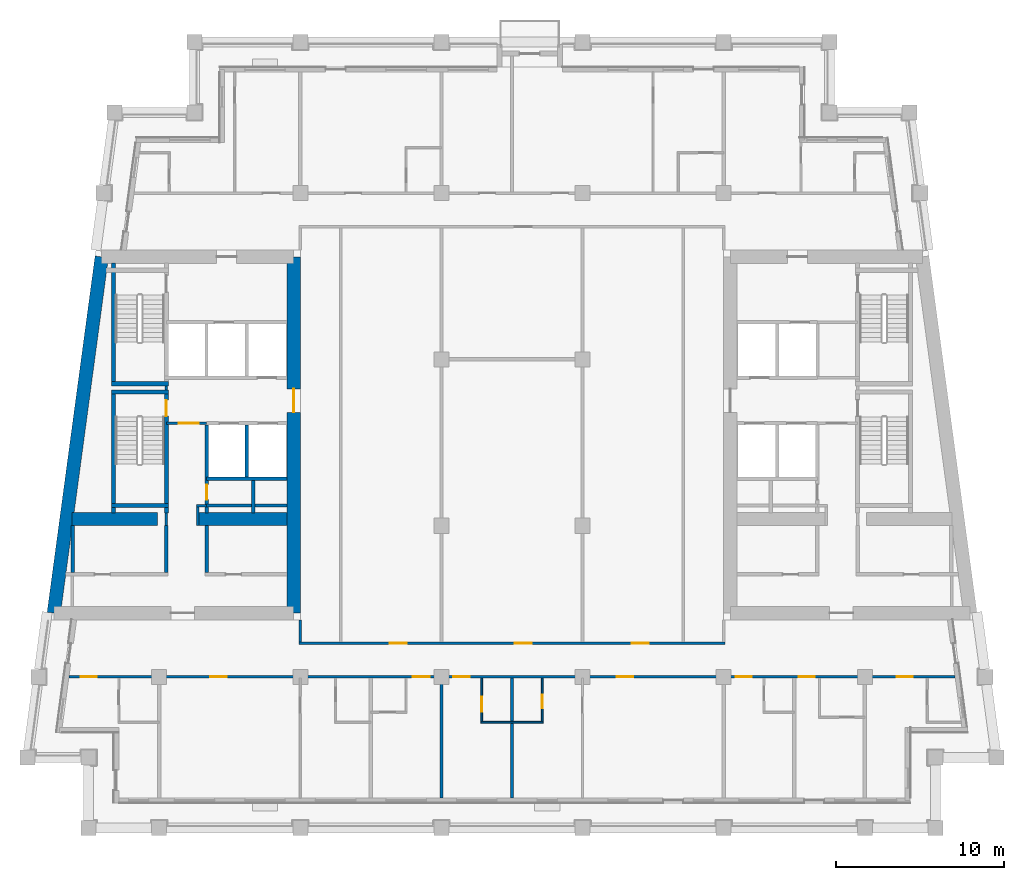
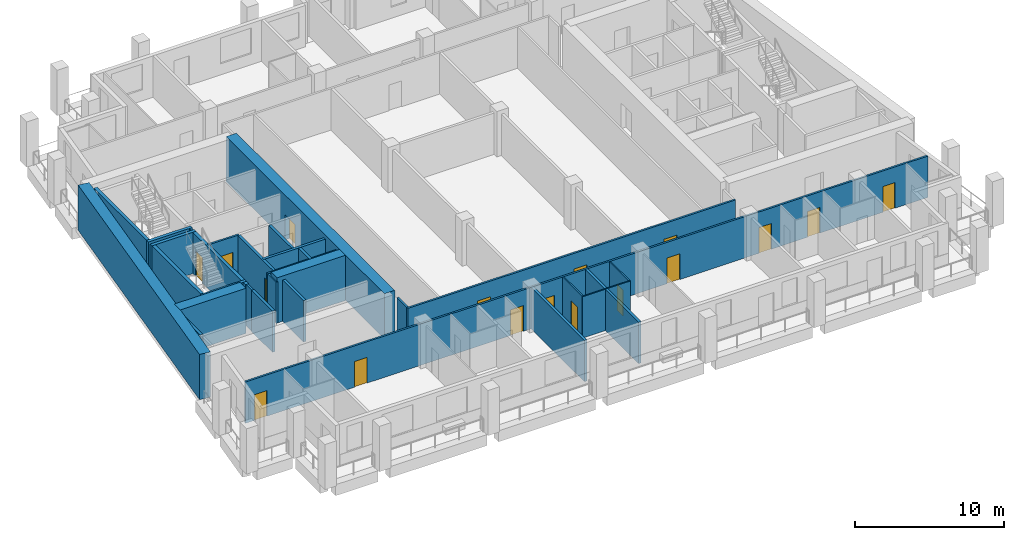
# One storey, part 3 of 12: 31 walls, 17 doors, 17 openings.
"""IFC4 building model written with IfcOpenShell, lengths in metres."""

from ifc_helpers import new_model, si_unit, direction, frame, frame_2d, origin, place, context, subcontext, project, spatial, rectangle, extrude, material, layer, layer_set, type_object, element, fill, save


model = new_model("IFC4")

# Units and contexts
model_context = context("Model", 3, precision=1e-05, world=origin(), true_north=direction((0.0, 1.0)))
body_context = subcontext(model_context, "Body", "Model", "MODEL_VIEW")
ifc_project = project(units=[si_unit("LENGTHUNIT", "METRE"), si_unit("AREAUNIT", "SQUARE_METRE"), si_unit("VOLUMEUNIT", "CUBIC_METRE"), si_unit("PLANEANGLEUNIT", "RADIAN"), si_unit("MASSUNIT", "GRAM", prefix="KILO")], contexts=[model_context])

# Site, building, storey
site_placement = place(None, origin())
site = spatial("IfcSite", under=ifc_project, at=site_placement, CompositionType="ELEMENT")
building_placement = place(site_placement, origin())
building = spatial("IfcBuilding", under=site, at=building_placement, Name="Candeia Pilgrim Tower and Theatre", CompositionType="ELEMENT")
storey_placement = place(building_placement, frame((0.0, 0.0, 235.5)))
storey = spatial("IfcBuildingStorey", under=building, at=storey_placement, Name="L57", CompositionType="ELEMENT", Elevation=235.5)

# Wall, opening, door
ifc_material_1 = material(Name="Concrete C50/60", Category="concrete")
ifc_layer_1 = layer(ifc_material_1, 0.800048828125)
ifc_layer_set_1 = layer_set([ifc_layer_1], Name="Core wall 800 C50/60")
wall_type_1 = type_object("IfcWallType", Name="Core wall 800 C50/60", PredefinedType="SHEAR", material=ifc_layer_set_1)
wall_1_placement = place(storey_placement, frame((100.39990234375, 132.0, 0.0), z_axis=(0.0, 0.0, 1.0), x_axis=(0.0, -1.0, 0.0)))
wall_1 = element("IfcWall", 1, at=wall_1_placement, inside=storey, type_object=wall_type_1, Name="Core wall W2", PredefinedType="SHEAR", context=body_context, shape_type="SweptSolid", body=[
    extrude(rectangle(XDim=21.199951171875, YDim=0.800048828125, at=frame_2d((10.60009765625, 0.0))), origin(), (0.0, 0.0, 1.0), 3.699951171875),
])
opening_1_placement = place(wall_1_placement, frame((7.85009765625, 0.0, 0.0)))
opening_1 = element("IfcOpeningElement", 2, at=opening_1_placement, cuts=wall_1, Name="Opening L57-D049", PredefinedType="OPENING", context=body_context, shape_type="SweptSolid", body=[
    extrude(rectangle(XDim=1.39990234375, YDim=2.10009765625, at=frame_2d((0.699951171875, 1.050048828125))), frame((0.0, 0.41015625, 0.0), z_axis=(0.0, -1.0, 0.0), x_axis=(1.0, 0.0, 0.0)), (0.0, 0.0, 1.0), 0.820068359375),
])
ifc_material_2 = material(Name="Steel fire door set", Category="steel")
door_type_1 = type_object("IfcDoorType", Name="D-1400-FD60", OperationType="NOTDEFINED", PredefinedType="DOOR", material=ifc_material_2)
door_1_placement = place(opening_1_placement, origin())
door_1 = element("IfcDoor", 3, at=door_1_placement, inside=storey, type_object=door_type_1, Name="Door L57-D049", OperationType="SINGLE_SWING_RIGHT", OverallHeight=2.10009765625, OverallWidth=1.39990234375, PredefinedType="DOOR", context=body_context, shape_type="SweptSolid", body=[
    extrude(rectangle(XDim=1.39990234375, YDim=2.10009765625, at=frame_2d((0.699951171875, 1.050048828125))), frame((0.0, 0.02490234375, 0.0), z_axis=(0.0, -1.0, 0.0), x_axis=(1.0, 0.0, 0.0)), (0.0, 0.0, 1.0), 0.050048828125),
])
fill(opening_1, door_1)

# Walls
wall_2_placement = place(storey_placement, frame((86.126708984375, 110.800048828125, 0.0), z_axis=(0.0, 0.0, 1.0), x_axis=(0.133408347329, 0.991061154956, 0.0)))
element("IfcWall", 4, at=wall_2_placement, inside=storey, type_object=wall_type_1, Name="Core wall W4", PredefinedType="SHEAR", context=body_context, shape_type="SweptSolid", body=[
    extrude(rectangle(XDim=21.39111328125, YDim=0.800048828125, at=frame_2d((10.695556640625, 0.0))), origin(), (0.0, 0.0, 1.0), 3.699951171875),
])
wall_3_placement = place(storey_placement, frame((87.22314453125, 116.39990234375, 0.0), z_axis=(0.0, 0.0, 1.0), x_axis=(1.0, 0.0, 0.0)))
element("IfcWall", 5, at=wall_3_placement, inside=storey, type_object=wall_type_1, Name="Core wall W5", PredefinedType="SHEAR", context=body_context, shape_type="SweptSolid", body=[
    extrude(rectangle(XDim=5.076904296875, YDim=0.800048828125, at=frame_2d((2.53857421875, 0.0))), origin(), (0.0, 0.0, 1.0), 3.699951171875),
])
wall_4_placement = place(storey_placement, frame((94.699951171875, 116.39990234375, 0.0), z_axis=(0.0, 0.0, 1.0), x_axis=(1.0, 0.0, 0.0)))
element("IfcWall", 6, at=wall_4_placement, inside=storey, type_object=wall_type_1, Name="Core wall W6", PredefinedType="SHEAR", context=body_context, shape_type="SweptSolid", body=[
    extrude(rectangle(XDim=5.300048828125, YDim=0.800048828125, at=frame_2d((2.64990234375, 0.0))), origin(), (0.0, 0.0, 1.0), 3.699951171875),
])
ifc_material_3 = material(Name="Gypsum board partition on steel studs", Category="steel")
ifc_layer_2 = layer(ifc_material_3, 0.10009765625)
ifc_layer_set_2 = layer_set([ifc_layer_2], Name="PW-100 room partition")
wall_type_2 = type_object("IfcWallType", Name="PW-100 room partition", PredefinedType="PARTITIONING", material=ifc_layer_set_2)
wall_5_placement = place(storey_placement, frame((111.550048828125, 104.300048828125, 0.0), z_axis=(0.0, 0.0, 1.0), x_axis=(1.0, 0.0, 0.0)))
element("IfcWall", 7, at=wall_5_placement, inside=storey, type_object=wall_type_2, Name="Room partition L57-003", PredefinedType="PARTITIONING", context=body_context, shape_type="SweptSolid", body=[
    extrude(rectangle(XDim=3.699951171875, YDim=0.10009765625, at=frame_2d((1.85009765625, 0.0))), origin(), (0.0, 0.0, 1.0), 3.3798828125),
])

# Wall, opening, door
wall_6_placement = place(storey_placement, frame((111.60009765625, 104.35009765625, 0.0), z_axis=(0.0, 0.0, 1.0), x_axis=(0.0, 1.0, 0.0)))
wall_6 = element("IfcWall", 8, at=wall_6_placement, inside=storey, type_object=wall_type_2, Name="Room partition L57-077", PredefinedType="PARTITIONING", context=body_context, shape_type="SweptSolid", body=[
    extrude(rectangle(XDim=2.574951171875, YDim=0.10009765625, at=frame_2d((1.28759765625, 0.0))), origin(), (0.0, 0.0, 1.0), 3.3798828125),
])
opening_2_placement = place(wall_6_placement, frame((0.574951171875, 0.0, 0.0)))
opening_2 = element("IfcOpeningElement", 9, at=opening_2_placement, cuts=wall_6, Name="Opening L57-D021", PredefinedType="OPENING", context=body_context, shape_type="SweptSolid", body=[
    extrude(rectangle(XDim=0.89990234375, YDim=2.10009765625, at=frame_2d((0.449951171875, 1.050048828125))), frame((0.0, 0.06005859375, 0.0), z_axis=(0.0, -1.0, 0.0), x_axis=(1.0, 0.0, 0.0)), (0.0, 0.0, 1.0), 0.1201171875),
])
ifc_material_4 = material(Name="Timber door leaf", Category="wood")
door_type_2 = type_object("IfcDoorType", Name="D-900", OperationType="NOTDEFINED", PredefinedType="DOOR", material=ifc_material_4)
door_2_placement = place(opening_2_placement, origin())
door_2 = element("IfcDoor", 10, at=door_2_placement, inside=storey, type_object=door_type_2, Name="Door L57-D021", OperationType="SINGLE_SWING_RIGHT", OverallHeight=2.10009765625, OverallWidth=0.89990234375, PredefinedType="DOOR", context=body_context, shape_type="SweptSolid", body=[
    extrude(rectangle(XDim=0.89990234375, YDim=2.10009765625, at=frame_2d((0.449951171875, 1.050048828125))), frame((0.0, 0.02490234375, 0.0), z_axis=(0.0, -1.0, 0.0), x_axis=(1.0, 0.0, 0.0)), (0.0, 0.0, 1.0), 0.050048828125),
])
fill(opening_2, door_2)

wall_7_placement = place(storey_placement, frame((115.199951171875, 104.35009765625, 0.0), z_axis=(0.0, 0.0, 1.0), x_axis=(0.0, 1.0, 0.0)))
wall_7 = element("IfcWall", 11, at=wall_7_placement, inside=storey, type_object=wall_type_2, Name="Room partition L57-080", PredefinedType="PARTITIONING", context=body_context, shape_type="SweptSolid", body=[
    extrude(rectangle(XDim=2.574951171875, YDim=0.10009765625, at=frame_2d((1.28759765625, 0.0))), origin(), (0.0, 0.0, 1.0), 3.3798828125),
])
opening_3_placement = place(wall_7_placement, frame((0.780029296875, 0.0, 0.0)))
opening_3 = element("IfcOpeningElement", 12, at=opening_3_placement, cuts=wall_7, Name="Opening L57-D024", PredefinedType="OPENING", context=body_context, shape_type="SweptSolid", body=[
    extrude(rectangle(XDim=0.800048828125, YDim=2.10009765625, at=frame_2d((0.39990234375, 1.050048828125))), frame((0.0, 0.06005859375, 0.0), z_axis=(0.0, -1.0, 0.0), x_axis=(1.0, 0.0, 0.0)), (0.0, 0.0, 1.0), 0.1201171875),
])
door_type_3 = type_object("IfcDoorType", Name="D-800", OperationType="NOTDEFINED", PredefinedType="DOOR", material=ifc_material_4)
door_3_placement = place(opening_3_placement, origin())
door_3 = element("IfcDoor", 13, at=door_3_placement, inside=storey, type_object=door_type_3, Name="Door L57-D024", OperationType="SINGLE_SWING_LEFT", OverallHeight=2.10009765625, OverallWidth=0.800048828125, PredefinedType="DOOR", context=body_context, shape_type="SweptSolid", body=[
    extrude(rectangle(XDim=0.800048828125, YDim=2.10009765625, at=frame_2d((0.39990234375, 1.050048828125))), frame((0.0, 0.02490234375, 0.0), z_axis=(0.0, -1.0, 0.0), x_axis=(1.0, 0.0, 0.0)), (0.0, 0.0, 1.0), 0.050048828125),
])
fill(opening_3, door_3)

# Wall
ifc_layer_3 = layer(ifc_material_3, 0.14990234375)
ifc_layer_set_3 = layer_set([ifc_layer_3], Name="PW-150 lobby wall")
wall_type_3 = type_object("IfcWallType", Name="PW-150 lobby wall", PredefinedType="PARTITIONING", material=ifc_layer_set_3)
wall_8_placement = place(storey_placement, frame((94.625, 117.199951171875, 0.0), z_axis=(0.0, 0.0, 1.0), x_axis=(1.0, 0.0, 0.0)))
element("IfcWall", 14, at=wall_8_placement, inside=storey, type_object=wall_type_3, Name="Lobby wall L57-016", PredefinedType="PARTITIONING", context=body_context, shape_type="SweptSolid", body=[
    extrude(rectangle(XDim=0.60205078125, YDim=0.14990234375, at=frame_2d((0.301025390625, 0.0))), origin(), (0.0, 0.0, 1.0), 3.3798828125),
])

# Wall, opening, door
wall_9_placement = place(storey_placement, frame((92.826904296875, 122.10009765625, 0.0), z_axis=(0.0, 0.0, 1.0), x_axis=(1.0, 0.0, 0.0)))
wall_9 = element("IfcWall", 15, at=wall_9_placement, inside=storey, type_object=wall_type_3, Name="Lobby wall L57-024", PredefinedType="PARTITIONING", context=body_context, shape_type="SweptSolid", body=[
    extrude(rectangle(XDim=2.400146484375, YDim=0.14990234375, at=frame_2d((1.2001953125, 0.0))), origin(), (0.0, 0.0, 1.0), 3.3798828125),
])
opening_4_placement = place(wall_9_placement, frame((0.72509765625, 0.0, 0.0)))
opening_4 = element("IfcOpeningElement", 16, at=opening_4_placement, cuts=wall_9, Name="Opening L57-D001", PredefinedType="OPENING", context=body_context, shape_type="SweptSolid", body=[
    extrude(rectangle(XDim=1.199951171875, YDim=2.10009765625, at=frame_2d((0.60009765625, 1.050048828125))), frame((0.0, 0.0849609375, 0.0), z_axis=(0.0, -1.0, 0.0), x_axis=(1.0, 0.0, 0.0)), (0.0, 0.0, 1.0), 0.169921875),
])
door_type_4 = type_object("IfcDoorType", Name="D-1200-FD60", OperationType="NOTDEFINED", PredefinedType="DOOR", material=ifc_material_2)
door_4_placement = place(opening_4_placement, origin())
door_4 = element("IfcDoor", 17, at=door_4_placement, inside=storey, type_object=door_type_4, Name="Door L57-D001", OperationType="SINGLE_SWING_RIGHT", OverallHeight=2.10009765625, OverallWidth=1.199951171875, PredefinedType="DOOR", context=body_context, shape_type="SweptSolid", body=[
    extrude(rectangle(XDim=1.199951171875, YDim=2.10009765625, at=frame_2d((0.60009765625, 1.050048828125))), frame((0.0, 0.02490234375, 0.0), z_axis=(0.0, -1.0, 0.0), x_axis=(1.0, 0.0, 0.0)), (0.0, 0.0, 1.0), 0.050048828125),
])
fill(opening_4, door_4)

# Walls
wall_10_placement = place(storey_placement, frame((92.826904296875, 116.0, 0.0), z_axis=(0.0, 0.0, 1.0), x_axis=(0.0, 1.0, 0.0)))
element("IfcWall", 18, at=wall_10_placement, inside=storey, type_object=wall_type_3, Name="Lobby wall L57-052", PredefinedType="PARTITIONING", context=body_context, shape_type="SweptSolid", body=[
    extrude(rectangle(XDim=0.77001953125, YDim=0.14990234375, at=frame_2d((0.385009765625, 0.0))), origin(), (0.0, 0.0, 1.0), 3.3798828125),
])
wall_11_placement = place(storey_placement, frame((92.826904296875, 124.074951171875, 0.0), z_axis=(0.0, 0.0, 1.0), x_axis=(0.0, 1.0, 0.0)))
element("IfcWall", 19, at=wall_11_placement, inside=storey, type_object=wall_type_3, Name="Lobby wall L57-053", PredefinedType="PARTITIONING", context=body_context, shape_type="SweptSolid", body=[
    extrude(rectangle(XDim=0.25, YDim=0.14990234375, at=frame_2d((0.125, 0.0))), origin(), (0.0, 0.0, 1.0), 3.3798828125),
])
wall_12_placement = place(storey_placement, frame((94.699951171875, 116.0, 0.0), z_axis=(0.0, 0.0, 1.0), x_axis=(0.0, 1.0, 0.0)))
element("IfcWall", 20, at=wall_12_placement, inside=storey, type_object=wall_type_3, Name="Lobby wall L57-057", PredefinedType="PARTITIONING", context=body_context, shape_type="SweptSolid", body=[
    extrude(rectangle(XDim=1.125, YDim=0.14990234375, at=frame_2d((0.5625, 0.0))), origin(), (0.0, 0.0, 1.0), 3.3798828125),
])

# Wall, openings, doors
ifc_layer_4 = layer(ifc_material_3, 0.14990234375)
ifc_layer_set_4 = layer_set([ifc_layer_4], Name="PW-150 unit wall")
wall_type_4 = type_object("IfcWallType", Name="PW-150 unit wall", PredefinedType="PARTITIONING", material=ifc_layer_set_4)
wall_13_placement = place(storey_placement, frame((87.017578125, 107.0, 0.0), z_axis=(0.0, 0.0, 1.0), x_axis=(1.0, 0.0, 0.0)))
wall_13 = element("IfcWall", 21, at=wall_13_placement, inside=storey, type_object=wall_type_4, Name="Unit wall L57-008", PredefinedType="PARTITIONING", context=body_context, shape_type="SweptSolid", body=[
    extrude(rectangle(XDim=52.7646484375, YDim=0.14990234375, at=frame_2d((26.38232421875, 0.0))), origin(), (0.0, 0.0, 1.0), 3.3798828125),
])
opening_5_placement = place(wall_13_placement, frame((0.707275390625, 0.0, 0.0)))
opening_5 = element("IfcOpeningElement", 22, at=opening_5_placement, cuts=wall_13, Name="Opening L57-D013", PredefinedType="OPENING", context=body_context, shape_type="SweptSolid", body=[
    extrude(rectangle(XDim=0.949951171875, YDim=2.10009765625, at=frame_2d((0.47509765625, 1.050048828125))), frame((0.0, 0.0849609375, 0.0), z_axis=(0.0, -1.0, 0.0), x_axis=(1.0, 0.0, 0.0)), (0.0, 0.0, 1.0), 0.169921875),
])
opening_6_placement = place(wall_13_placement, frame((8.412353515625, 0.0, 0.0)))
opening_6 = element("IfcOpeningElement", 23, at=opening_6_placement, cuts=wall_13, Name="Opening L57-D015", PredefinedType="OPENING", context=body_context, shape_type="SweptSolid", body=[
    extrude(rectangle(XDim=1.0, YDim=2.10009765625, at=frame_2d((0.5, 1.050048828125))), frame((0.0, 0.0849609375, 0.0), z_axis=(0.0, -1.0, 0.0), x_axis=(1.0, 0.0, 0.0)), (0.0, 0.0, 1.0), 0.169921875),
])
opening_7_placement = place(wall_13_placement, frame((20.482421875, 0.0, 0.0)))
opening_7 = element("IfcOpeningElement", 24, at=opening_7_placement, cuts=wall_13, Name="Opening L57-D018", PredefinedType="OPENING", context=body_context, shape_type="SweptSolid", body=[
    extrude(rectangle(XDim=1.0, YDim=2.10009765625, at=frame_2d((0.5, 1.050048828125))), frame((0.0, 0.0849609375, 0.0), z_axis=(0.0, -1.0, 0.0), x_axis=(1.0, 0.0, 0.0)), (0.0, 0.0, 1.0), 0.169921875),
])
opening_8_placement = place(wall_13_placement, frame((22.88232421875, 0.0, 0.0)))
opening_8 = element("IfcOpeningElement", 25, at=opening_8_placement, cuts=wall_13, Name="Opening L57-D020", PredefinedType="OPENING", context=body_context, shape_type="SweptSolid", body=[
    extrude(rectangle(XDim=1.0, YDim=2.10009765625, at=frame_2d((0.5, 1.050048828125))), frame((0.0, 0.0849609375, 0.0), z_axis=(0.0, -1.0, 0.0), x_axis=(1.0, 0.0, 0.0)), (0.0, 0.0, 1.0), 0.169921875),
])
opening_9_placement = place(wall_13_placement, frame((32.607421875, 0.0, 0.0)))
opening_9 = element("IfcOpeningElement", 26, at=opening_9_placement, cuts=wall_13, Name="Opening L57-D022", PredefinedType="OPENING", context=body_context, shape_type="SweptSolid", body=[
    extrude(rectangle(XDim=1.0, YDim=2.10009765625, at=frame_2d((0.5, 1.050048828125))), frame((0.0, 0.0849609375, 0.0), z_axis=(0.0, -1.0, 0.0), x_axis=(1.0, 0.0, 0.0)), (0.0, 0.0, 1.0), 0.169921875),
])
opening_10_placement = place(wall_13_placement, frame((39.707275390625, 0.0, 0.0)))
opening_10 = element("IfcOpeningElement", 27, at=opening_10_placement, cuts=wall_13, Name="Opening L57-D025", PredefinedType="OPENING", context=body_context, shape_type="SweptSolid", body=[
    extrude(rectangle(XDim=0.949951171875, YDim=2.10009765625, at=frame_2d((0.47509765625, 1.050048828125))), frame((0.0, 0.0849609375, 0.0), z_axis=(0.0, -1.0, 0.0), x_axis=(1.0, 0.0, 0.0)), (0.0, 0.0, 1.0), 0.169921875),
])
opening_11_placement = place(wall_13_placement, frame((43.457275390625, 0.0, 0.0)))
opening_11 = element("IfcOpeningElement", 28, at=opening_11_placement, cuts=wall_13, Name="Opening L57-D027", PredefinedType="OPENING", context=body_context, shape_type="SweptSolid", body=[
    extrude(rectangle(XDim=0.949951171875, YDim=2.10009765625, at=frame_2d((0.47509765625, 1.050048828125))), frame((0.0, 0.0849609375, 0.0), z_axis=(0.0, -1.0, 0.0), x_axis=(1.0, 0.0, 0.0)), (0.0, 0.0, 1.0), 0.169921875),
])
opening_12_placement = place(wall_13_placement, frame((49.285400390625, 0.0, 0.0)))
opening_12 = element("IfcOpeningElement", 29, at=opening_12_placement, cuts=wall_13, Name="Opening L57-D029", PredefinedType="OPENING", context=body_context, shape_type="SweptSolid", body=[
    extrude(rectangle(XDim=0.949951171875, YDim=2.10009765625, at=frame_2d((0.47509765625, 1.050048828125))), frame((0.0, 0.0849609375, 0.0), z_axis=(0.0, -1.0, 0.0), x_axis=(1.0, 0.0, 0.0)), (0.0, 0.0, 1.0), 0.169921875),
])
door_type_5 = type_object("IfcDoorType", Name="D-1000-FD30S", OperationType="NOTDEFINED", PredefinedType="DOOR", material=ifc_material_2)
door_5_placement = place(opening_6_placement, origin())
door_5 = element("IfcDoor", 30, at=door_5_placement, inside=storey, type_object=door_type_5, Name="Door L57-D015", OperationType="SINGLE_SWING_RIGHT", OverallHeight=2.10009765625, OverallWidth=1.0, PredefinedType="DOOR", context=body_context, shape_type="SweptSolid", body=[
    extrude(rectangle(XDim=1.0, YDim=2.10009765625, at=frame_2d((0.5, 1.050048828125))), frame((0.0, 0.02490234375, 0.0), z_axis=(0.0, -1.0, 0.0), x_axis=(1.0, 0.0, 0.0)), (0.0, 0.0, 1.0), 0.050048828125),
])
fill(opening_6, door_5)
door_6_placement = place(opening_7_placement, origin())
door_6 = element("IfcDoor", 31, at=door_6_placement, inside=storey, type_object=door_type_5, Name="Door L57-D018", OperationType="SINGLE_SWING_LEFT", OverallHeight=2.10009765625, OverallWidth=1.0, PredefinedType="DOOR", context=body_context, shape_type="SweptSolid", body=[
    extrude(rectangle(XDim=1.0, YDim=2.10009765625, at=frame_2d((0.5, 1.050048828125))), frame((0.0, 0.02490234375, 0.0), z_axis=(0.0, -1.0, 0.0), x_axis=(1.0, 0.0, 0.0)), (0.0, 0.0, 1.0), 0.050048828125),
])
fill(opening_7, door_6)
door_7_placement = place(opening_8_placement, origin())
door_7 = element("IfcDoor", 32, at=door_7_placement, inside=storey, type_object=door_type_5, Name="Door L57-D020", OperationType="SINGLE_SWING_LEFT", OverallHeight=2.10009765625, OverallWidth=1.0, PredefinedType="DOOR", context=body_context, shape_type="SweptSolid", body=[
    extrude(rectangle(XDim=1.0, YDim=2.10009765625, at=frame_2d((0.5, 1.050048828125))), frame((0.0, 0.02490234375, 0.0), z_axis=(0.0, -1.0, 0.0), x_axis=(1.0, 0.0, 0.0)), (0.0, 0.0, 1.0), 0.050048828125),
])
fill(opening_8, door_7)
door_8_placement = place(opening_9_placement, origin())
door_8 = element("IfcDoor", 33, at=door_8_placement, inside=storey, type_object=door_type_5, Name="Door L57-D022", OperationType="SINGLE_SWING_LEFT", OverallHeight=2.10009765625, OverallWidth=1.0, PredefinedType="DOOR", context=body_context, shape_type="SweptSolid", body=[
    extrude(rectangle(XDim=1.0, YDim=2.10009765625, at=frame_2d((0.5, 1.050048828125))), frame((0.0, 0.02490234375, 0.0), z_axis=(0.0, -1.0, 0.0), x_axis=(1.0, 0.0, 0.0)), (0.0, 0.0, 1.0), 0.050048828125),
])
fill(opening_9, door_8)
door_type_6 = type_object("IfcDoorType", Name="D-950-FD30S", OperationType="NOTDEFINED", PredefinedType="DOOR", material=ifc_material_2)
door_9_placement = place(opening_5_placement, origin())
door_9 = element("IfcDoor", 34, at=door_9_placement, inside=storey, type_object=door_type_6, Name="Door L57-D013", OperationType="SINGLE_SWING_RIGHT", OverallHeight=2.10009765625, OverallWidth=0.949951171875, PredefinedType="DOOR", context=body_context, shape_type="SweptSolid", body=[
    extrude(rectangle(XDim=0.949951171875, YDim=2.10009765625, at=frame_2d((0.47509765625, 1.050048828125))), frame((0.0, 0.02490234375, 0.0), z_axis=(0.0, -1.0, 0.0), x_axis=(1.0, 0.0, 0.0)), (0.0, 0.0, 1.0), 0.050048828125),
])
fill(opening_5, door_9)
door_10_placement = place(opening_10_placement, origin())
door_10 = element("IfcDoor", 35, at=door_10_placement, inside=storey, type_object=door_type_6, Name="Door L57-D025", OperationType="SINGLE_SWING_RIGHT", OverallHeight=2.10009765625, OverallWidth=0.949951171875, PredefinedType="DOOR", context=body_context, shape_type="SweptSolid", body=[
    extrude(rectangle(XDim=0.949951171875, YDim=2.10009765625, at=frame_2d((0.47509765625, 1.050048828125))), frame((0.0, 0.02490234375, 0.0), z_axis=(0.0, -1.0, 0.0), x_axis=(1.0, 0.0, 0.0)), (0.0, 0.0, 1.0), 0.050048828125),
])
fill(opening_10, door_10)
door_11_placement = place(opening_11_placement, origin())
door_11 = element("IfcDoor", 36, at=door_11_placement, inside=storey, type_object=door_type_6, Name="Door L57-D027", OperationType="SINGLE_SWING_RIGHT", OverallHeight=2.10009765625, OverallWidth=0.949951171875, PredefinedType="DOOR", context=body_context, shape_type="SweptSolid", body=[
    extrude(rectangle(XDim=0.949951171875, YDim=2.10009765625, at=frame_2d((0.47509765625, 1.050048828125))), frame((0.0, 0.02490234375, 0.0), z_axis=(0.0, -1.0, 0.0), x_axis=(1.0, 0.0, 0.0)), (0.0, 0.0, 1.0), 0.050048828125),
])
fill(opening_11, door_11)
door_12_placement = place(opening_12_placement, origin())
door_12 = element("IfcDoor", 37, at=door_12_placement, inside=storey, type_object=door_type_6, Name="Door L57-D029", OperationType="SINGLE_SWING_RIGHT", OverallHeight=2.10009765625, OverallWidth=0.949951171875, PredefinedType="DOOR", context=body_context, shape_type="SweptSolid", body=[
    extrude(rectangle(XDim=0.949951171875, YDim=2.10009765625, at=frame_2d((0.47509765625, 1.050048828125))), frame((0.0, 0.02490234375, 0.0), z_axis=(0.0, -1.0, 0.0), x_axis=(1.0, 0.0, 0.0)), (0.0, 0.0, 1.0), 0.050048828125),
])
fill(opening_12, door_12)

wall_14_placement = place(storey_placement, frame((100.72509765625, 109.0, 0.0), z_axis=(0.0, 0.0, 1.0), x_axis=(1.0, 0.0, 0.0)))
wall_14 = element("IfcWall", 38, at=wall_14_placement, inside=storey, type_object=wall_type_4, Name="Unit wall L57-009", PredefinedType="PARTITIONING", context=body_context, shape_type="SweptSolid", body=[
    extrude(rectangle(XDim=25.349853515625, YDim=0.14990234375, at=frame_2d((12.6748046875, 0.0))), origin(), (0.0, 0.0, 1.0), 3.3798828125),
])
opening_13_placement = place(wall_14_placement, frame((5.405029296875, 0.0, 0.0)))
opening_13 = element("IfcOpeningElement", 39, at=opening_13_placement, cuts=wall_14, Name="Opening L57-D043", PredefinedType="OPENING", context=body_context, shape_type="SweptSolid", body=[
    extrude(rectangle(XDim=1.0, YDim=2.10009765625, at=frame_2d((0.5, 1.050048828125))), frame((0.0, 0.0849609375, 0.0), z_axis=(0.0, -1.0, 0.0), x_axis=(1.0, 0.0, 0.0)), (0.0, 0.0, 1.0), 0.169921875),
])
opening_14_placement = place(wall_14_placement, frame((12.844970703125, 0.0, 0.0)))
opening_14 = element("IfcOpeningElement", 40, at=opening_14_placement, cuts=wall_14, Name="Opening L57-D044", PredefinedType="OPENING", context=body_context, shape_type="SweptSolid", body=[
    extrude(rectangle(XDim=1.0, YDim=2.10009765625, at=frame_2d((0.5, 1.050048828125))), frame((0.0, 0.0849609375, 0.0), z_axis=(0.0, -1.0, 0.0), x_axis=(1.0, 0.0, 0.0)), (0.0, 0.0, 1.0), 0.169921875),
])
opening_15_placement = place(wall_14_placement, frame((19.804931640625, 0.0, 0.0)))
opening_15 = element("IfcOpeningElement", 41, at=opening_15_placement, cuts=wall_14, Name="Opening L57-D046", PredefinedType="OPENING", context=body_context, shape_type="SweptSolid", body=[
    extrude(rectangle(XDim=1.0, YDim=2.10009765625, at=frame_2d((0.5, 1.050048828125))), frame((0.0, 0.0849609375, 0.0), z_axis=(0.0, -1.0, 0.0), x_axis=(1.0, 0.0, 0.0)), (0.0, 0.0, 1.0), 0.169921875),
])
door_13_placement = place(opening_13_placement, origin())
door_13 = element("IfcDoor", 42, at=door_13_placement, inside=storey, type_object=door_type_5, Name="Door L57-D043", OperationType="SINGLE_SWING_RIGHT", OverallHeight=2.10009765625, OverallWidth=1.0, PredefinedType="DOOR", context=body_context, shape_type="SweptSolid", body=[
    extrude(rectangle(XDim=1.0, YDim=2.10009765625, at=frame_2d((0.5, 1.050048828125))), frame((0.0, 0.02490234375, 0.0), z_axis=(0.0, -1.0, 0.0), x_axis=(1.0, 0.0, 0.0)), (0.0, 0.0, 1.0), 0.050048828125),
])
fill(opening_13, door_13)
door_14_placement = place(opening_14_placement, origin())
door_14 = element("IfcDoor", 43, at=door_14_placement, inside=storey, type_object=door_type_5, Name="Door L57-D044", OperationType="SINGLE_SWING_LEFT", OverallHeight=2.10009765625, OverallWidth=1.0, PredefinedType="DOOR", context=body_context, shape_type="SweptSolid", body=[
    extrude(rectangle(XDim=1.0, YDim=2.10009765625, at=frame_2d((0.5, 1.050048828125))), frame((0.0, 0.02490234375, 0.0), z_axis=(0.0, -1.0, 0.0), x_axis=(1.0, 0.0, 0.0)), (0.0, 0.0, 1.0), 0.050048828125),
])
fill(opening_14, door_14)
door_15_placement = place(opening_15_placement, origin())
door_15 = element("IfcDoor", 44, at=door_15_placement, inside=storey, type_object=door_type_5, Name="Door L57-D046", OperationType="SINGLE_SWING_LEFT", OverallHeight=2.10009765625, OverallWidth=1.0, PredefinedType="DOOR", context=body_context, shape_type="SweptSolid", body=[
    extrude(rectangle(XDim=1.0, YDim=2.10009765625, at=frame_2d((0.5, 1.050048828125))), frame((0.0, 0.02490234375, 0.0), z_axis=(0.0, -1.0, 0.0), x_axis=(1.0, 0.0, 0.0)), (0.0, 0.0, 1.0), 0.050048828125),
])
fill(opening_15, door_15)

# Walls
wall_15_placement = place(storey_placement, frame((100.800048828125, 109.074951171875, 0.0), z_axis=(0.0, 0.0, 1.0), x_axis=(0.0, 1.0, 0.0)))
element("IfcWall", 45, at=wall_15_placement, inside=storey, type_object=wall_type_4, Name="Unit wall L57-067", PredefinedType="PARTITIONING", context=body_context, shape_type="SweptSolid", body=[
    extrude(rectangle(XDim=1.324951171875, YDim=0.14990234375, at=frame_2d((0.66259765625, 0.0))), origin(), (0.0, 0.0, 1.0), 3.3798828125),
])
ifc_layer_5 = layer(ifc_material_3, 0.199951171875)
ifc_layer_set_5 = layer_set([ifc_layer_5], Name="PW-200 party wall")
wall_type_5 = type_object("IfcWallType", Name="PW-200 party wall", PredefinedType="PARTITIONING", material=ifc_layer_set_5)
for number, where, z_axis, x_axis, name in (
    (46, (109.199951171875, 99.7900390625, 0.0), (0.0, 0.0, 1.0), (0.0, 1.0, 0.0), "Party wall L57-074"),
    (47, (113.39990234375, 99.7900390625, 0.0), (0.0, 0.0, 1.0), (0.0, 1.0, 0.0), "Party wall L57-078"),
):
    element("IfcWall", number, at=place(storey_placement, frame(where, z_axis=z_axis, x_axis=x_axis)), inside=storey, type_object=wall_type_5, Name=name, PredefinedType="PARTITIONING", context=body_context, shape_type="SweptSolid", body=[
        extrude(rectangle(XDim=7.135009765625, YDim=0.199951171875, at=frame_2d((3.5673828125, 0.0))), origin(), (0.0, 0.0, 1.0), 3.3798828125),
    ])
ifc_material_5 = material(Name="Concrete C40/50", Category="concrete")
ifc_layer_6 = layer(ifc_material_5, 0.199951171875)
ifc_layer_set_6 = layer_set([ifc_layer_6], Name="SW-200 shaft wall")
wall_type_6 = type_object("IfcWallType", Name="SW-200 shaft wall", PredefinedType="PARTITIONING", material=ifc_layer_set_6)
for number, where, z_axis, x_axis, name in (
    (48, (95.22705078125, 117.199951171875, 0.0), (0.0, 0.0, 1.0), (1.0, 0.0, 0.0), "Shaft wall L57-014"),
    (49, (95.22705078125, 118.800048828125, 0.0), (0.0, 0.0, 1.0), (1.0, 0.0, 0.0), "Shaft wall L57-020"),
):
    element("IfcWall", number, at=place(storey_placement, frame(where, z_axis=z_axis, x_axis=x_axis)), inside=storey, type_object=wall_type_6, Name=name, PredefinedType="PARTITIONING", context=body_context, shape_type="SweptSolid", body=[
        extrude(rectangle(XDim=4.77294921875, YDim=0.199951171875, at=frame_2d((2.386474609375, 0.0))), origin(), (0.0, 0.0, 1.0), 3.3798828125),
    ])
for number, where, z_axis, x_axis, name in (
    (50, (87.24951171875, 113.199951171875, 0.0), (0.0, 0.0, 1.0), (0.0, 1.0, 0.0), "Shaft wall L57-045"),
    (51, (92.826904296875, 113.199951171875, 0.0), (0.0, 0.0, 1.0), (0.0, 1.0, 0.0), "Shaft wall L57-051"),
    (52, (95.22705078125, 113.199951171875, 0.0), (0.0, 0.0, 1.0), (0.0, 1.0, 0.0), "Shaft wall L57-059"),
):
    element("IfcWall", number, at=place(storey_placement, frame(where, z_axis=z_axis, x_axis=x_axis)), inside=storey, type_object=wall_type_6, Name=name, PredefinedType="PARTITIONING", context=body_context, shape_type="SweptSolid", body=[
        extrude(rectangle(XDim=2.800048828125, YDim=0.199951171875, at=frame_2d((1.39990234375, 0.0))), origin(), (0.0, 0.0, 1.0), 3.3798828125),
    ])

# Wall, opening, door
wall_16_placement = place(storey_placement, frame((95.22705078125, 116.77001953125, 0.0), z_axis=(0.0, 0.0, 1.0), x_axis=(0.0, 1.0, 0.0)))
wall_16 = element("IfcWall", 53, at=wall_16_placement, inside=storey, type_object=wall_type_6, Name="Shaft wall L57-060", PredefinedType="PARTITIONING", context=body_context, shape_type="SweptSolid", body=[
    extrude(rectangle(XDim=5.22998046875, YDim=0.199951171875, at=frame_2d((2.614990234375, 0.0))), origin(), (0.0, 0.0, 1.0), 3.3798828125),
])
opening_16_placement = place(wall_16_placement, frame((0.780029296875, 0.0, 0.0)))
opening_16 = element("IfcOpeningElement", 54, at=opening_16_placement, cuts=wall_16, Name="Opening L57-D004", PredefinedType="OPENING", context=body_context, shape_type="SweptSolid", body=[
    extrude(rectangle(XDim=0.89990234375, YDim=2.10009765625, at=frame_2d((0.449951171875, 1.050048828125))), frame((0.0, 0.10986328125, 0.0), z_axis=(0.0, -1.0, 0.0), x_axis=(1.0, 0.0, 0.0)), (0.0, 0.0, 1.0), 0.219970703125),
])
door_type_7 = type_object("IfcDoorType", Name="D-900-FD60", OperationType="NOTDEFINED", PredefinedType="DOOR", material=ifc_material_2)
door_16_placement = place(opening_16_placement, origin())
door_16 = element("IfcDoor", 55, at=door_16_placement, inside=storey, type_object=door_type_7, Name="Door L57-D004", OperationType="SINGLE_SWING_LEFT", OverallHeight=2.10009765625, OverallWidth=0.89990234375, PredefinedType="DOOR", context=body_context, shape_type="SweptSolid", body=[
    extrude(rectangle(XDim=0.89990234375, YDim=2.10009765625, at=frame_2d((0.449951171875, 1.050048828125))), frame((0.0, 0.02490234375, 0.0), z_axis=(0.0, -1.0, 0.0), x_axis=(1.0, 0.0, 0.0)), (0.0, 0.0, 1.0), 0.050048828125),
])
fill(opening_16, door_16)

# Walls
wall_17_placement = place(storey_placement, frame((97.613525390625, 118.89990234375, 0.0), z_axis=(0.0, 0.0, 1.0), x_axis=(0.0, 1.0, 0.0)))
element("IfcWall", 56, at=wall_17_placement, inside=storey, type_object=wall_type_6, Name="Shaft wall L57-063", PredefinedType="PARTITIONING", context=body_context, shape_type="SweptSolid", body=[
    extrude(rectangle(XDim=3.10009765625, YDim=0.199951171875, at=frame_2d((1.550048828125, 0.0))), origin(), (0.0, 0.0, 1.0), 3.3798828125),
])
wall_18_placement = place(storey_placement, frame((98.0, 116.77001953125, 0.0), z_axis=(0.0, 0.0, 1.0), x_axis=(0.0, 1.0, 0.0)))
element("IfcWall", 57, at=wall_18_placement, inside=storey, type_object=wall_type_6, Name="Shaft wall L57-064", PredefinedType="PARTITIONING", context=body_context, shape_type="SweptSolid", body=[
    extrude(rectangle(XDim=1.929931640625, YDim=0.199951171875, at=frame_2d((0.96484375, 0.0))), origin(), (0.0, 0.0, 1.0), 3.3798828125),
])
ifc_layer_7 = layer(ifc_material_5, 0.25)
ifc_layer_set_7 = layer_set([ifc_layer_7], Name="SW-250 stair wall")
wall_type_7 = type_object("IfcWallType", Name="SW-250 stair wall", PredefinedType="PARTITIONING", material=ifc_layer_set_7)
for number, where, z_axis, x_axis, name in (
    (58, (89.552001953125, 117.199951171875, 0.0), (0.0, 0.0, 1.0), (1.0, 0.0, 0.0), "Stair wall L57-018"),
    (59, (89.552001953125, 123.949951171875, 0.0), (0.0, 0.0, 1.0), (1.0, 0.0, 0.0), "Stair wall L57-026"),
    (60, (89.552001953125, 124.449951171875, 0.0), (0.0, 0.0, 1.0), (1.0, 0.0, 0.0), "Stair wall L57-028"),
):
    element("IfcWall", number, at=place(storey_placement, frame(where, z_axis=z_axis, x_axis=x_axis)), inside=storey, type_object=wall_type_7, Name=name, PredefinedType="PARTITIONING", context=body_context, shape_type="SweptSolid", body=[
        extrude(rectangle(XDim=3.39990234375, YDim=0.25, at=frame_2d((1.699951171875, 0.0))), origin(), (0.0, 0.0, 1.0), 3.3798828125),
    ])
for number, where, z_axis, x_axis, name in (
    (61, (89.677001953125, 116.77001953125, 0.0), (0.0, 0.0, 1.0), (0.0, 1.0, 0.0), "Stair wall L57-047"),
    (62, (89.677001953125, 124.574951171875, 0.0), (0.0, 0.0, 1.0), (0.0, 1.0, 0.0), "Stair wall L57-048"),
):
    element("IfcWall", number, at=place(storey_placement, frame(where, z_axis=z_axis, x_axis=x_axis)), inside=storey, type_object=wall_type_7, Name=name, PredefinedType="PARTITIONING", context=body_context, shape_type="SweptSolid", body=[
        extrude(rectangle(XDim=7.054931640625, YDim=0.25, at=frame_2d((3.52734375, 0.0))), origin(), (0.0, 0.0, 1.0), 3.3798828125),
    ])

# Wall, opening, door
wall_19_placement = place(storey_placement, frame((92.826904296875, 116.77001953125, 0.0), z_axis=(0.0, 0.0, 1.0), x_axis=(0.0, 1.0, 0.0)))
wall_19 = element("IfcWall", 63, at=wall_19_placement, inside=storey, type_object=wall_type_7, Name="Stair wall L57-054", PredefinedType="PARTITIONING", context=body_context, shape_type="SweptSolid", body=[
    extrude(rectangle(XDim=7.054931640625, YDim=0.25, at=frame_2d((3.52734375, 0.0))), origin(), (0.0, 0.0, 1.0), 3.3798828125),
])
opening_17_placement = place(wall_19_placement, frame((5.7548828125, 0.0, 0.0)))
opening_17 = element("IfcOpeningElement", 64, at=opening_17_placement, cuts=wall_19, Name="Opening L57-D002", PredefinedType="OPENING", context=body_context, shape_type="SweptSolid", body=[
    extrude(rectangle(XDim=0.949951171875, YDim=2.10009765625, at=frame_2d((0.47509765625, 1.050048828125))), frame((0.0, 0.135009765625, 0.0), z_axis=(0.0, -1.0, 0.0), x_axis=(1.0, 0.0, 0.0)), (0.0, 0.0, 1.0), 0.27001953125),
])
door_type_8 = type_object("IfcDoorType", Name="D-950-FD60", OperationType="NOTDEFINED", PredefinedType="DOOR", material=ifc_material_2)
door_17_placement = place(opening_17_placement, origin())
door_17 = element("IfcDoor", 65, at=door_17_placement, inside=storey, type_object=door_type_8, Name="Door L57-D002", OperationType="SINGLE_SWING_LEFT", OverallHeight=2.10009765625, OverallWidth=0.949951171875, PredefinedType="DOOR", context=body_context, shape_type="SweptSolid", body=[
    extrude(rectangle(XDim=0.949951171875, YDim=2.10009765625, at=frame_2d((0.47509765625, 1.050048828125))), frame((0.0, 0.02490234375, 0.0), z_axis=(0.0, -1.0, 0.0), x_axis=(1.0, 0.0, 0.0)), (0.0, 0.0, 1.0), 0.050048828125),
])
fill(opening_17, door_17)

save(model, "model.ifc")
